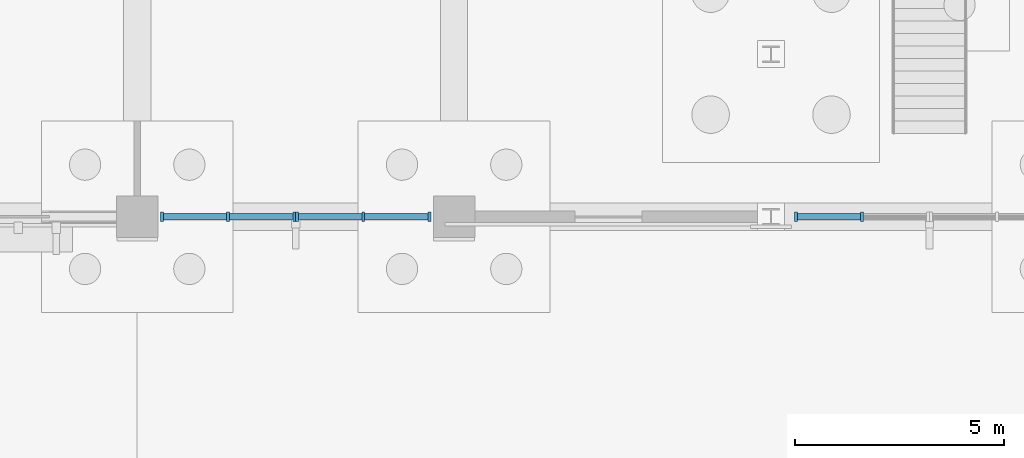
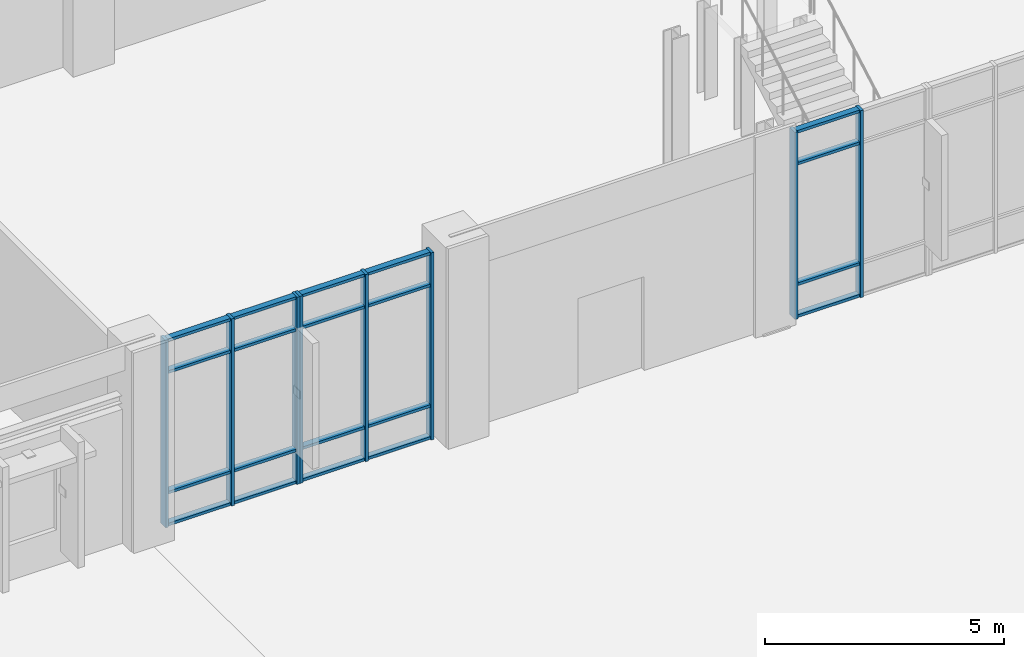
# One storey, part 42 of 94: 28 members, 3 elements without a shape of their own.
"""IFC4 building model written with IfcOpenShell, lengths in metres."""

from ifc_helpers import new_model, si_unit, direction, frame, origin, origin_2d, place, context, subcontext, project, spatial, rectangle, extrude, material, material_profile, profile_set, type_object, element, aggregate, save


model = new_model("IFC4")

# Units and contexts
model_context = context("Model", 3, precision=1e-05, world=origin(), true_north=direction((0.0, 1.0)))
body_context = subcontext(model_context, "Body", "Model", "MODEL_VIEW")
ifc_project = project(units=[si_unit("LENGTHUNIT", "METRE"), si_unit("AREAUNIT", "SQUARE_METRE"), si_unit("VOLUMEUNIT", "CUBIC_METRE"), si_unit("PLANEANGLEUNIT", "RADIAN"), si_unit("MASSUNIT", "GRAM", prefix="KILO")], contexts=[model_context])

# Site, building, storey
site_placement = place(None, origin())
site = spatial("IfcSite", under=ifc_project, at=site_placement, CompositionType="ELEMENT")
building_placement = place(site_placement, origin())
building = spatial("IfcBuilding", under=site, at=building_placement, Name="Vervanel Yard Central Library", CompositionType="ELEMENT")
storey_placement = place(building_placement, origin())
storey = spatial("IfcBuildingStorey", under=building, at=storey_placement, Name="L00", CompositionType="ELEMENT", Elevation=0.0)

# Curtain wall, members
ifc_material = material(Name="Thermally broken anodized aluminium 6063-T6", Category="aluminium")
curtain_wall_type = type_object("IfcCurtainWallType", Name="Reading Hall Full-Height Curtain Wall", PredefinedType="NOTDEFINED", material=ifc_material)
curtain_wall_1_placement = place(storey_placement, origin())
curtain_wall_1 = element("IfcCurtainWall", 1, at=curtain_wall_1_placement, inside=storey, type_object=curtain_wall_type, Name="L00 Reading Hall Full-Height Curtain Wall CWR-L00-056", PredefinedType="NOTDEFINED")
ifc_material_profile_1 = material_profile(ifc_material, rectangle(XDim=0.070068359375, YDim=0.219970703125, at=origin_2d()), Name="ALU 70x220", Category="aluminium")
ifc_profile_set_1 = profile_set([ifc_material_profile_1], Name="Thermally broken anodized aluminium 6063-T6")
member_type_1 = type_object("IfcMemberType", Name="Reading Hall Deep Mullion 70x220", PredefinedType="MULLION", material=ifc_profile_set_1)
member_1_placement = place(storey_placement, frame((108.594970703125, 43.199951171875, 0.0), z_axis=(0.0, 0.0, 1.0), x_axis=(1.0, 0.0, 0.0)))
member_1 = element("IfcMember", 2, at=member_1_placement, type_object=member_type_1, Name="CWR-L00-056 Mullion 1", PredefinedType="MULLION", context=body_context, shape_type="SweptSolid", body=[
    extrude(rectangle(XDim=0.070068359375, YDim=0.219970703125, at=origin_2d()), origin(), (0.0, 0.0, 1.0), 4.780029296875),
])
member_2_placement = place(storey_placement, frame((110.179931640625, 43.199951171875, 0.0), z_axis=(0.0, 0.0, 1.0), x_axis=(1.0, 0.0, 0.0)))
member_2 = element("IfcMember", 3, at=member_2_placement, type_object=member_type_1, Name="CWR-L00-056 Mullion 2", PredefinedType="MULLION", context=body_context, shape_type="SweptSolid", body=[
    extrude(rectangle(XDim=0.070068359375, YDim=0.219970703125, at=origin_2d()), origin(), (0.0, 0.0, 1.0), 4.780029296875),
])
member_3_placement = place(storey_placement, frame((111.764892578125, 43.199951171875, 0.0), z_axis=(0.0, 0.0, 1.0), x_axis=(1.0, 0.0, 0.0)))
member_3 = element("IfcMember", 4, at=member_3_placement, type_object=member_type_1, Name="CWR-L00-056 Mullion 3", PredefinedType="MULLION", context=body_context, shape_type="SweptSolid", body=[
    extrude(rectangle(XDim=0.070068359375, YDim=0.219970703125, at=origin_2d()), origin(), (0.0, 0.0, 1.0), 4.780029296875),
])

curtain_wall_2_placement = place(storey_placement, origin())
curtain_wall_2 = element("IfcCurtainWall", 5, at=curtain_wall_2_placement, inside=storey, type_object=curtain_wall_type, Name="L00 Reading Hall Full-Height Curtain Wall CWR-L00-057", PredefinedType="NOTDEFINED")
member_4_placement = place(storey_placement, frame((111.8349609375, 43.199951171875, 0.0), z_axis=(0.0, 0.0, 1.0), x_axis=(1.0, 0.0, 0.0)))
member_4 = element("IfcMember", 6, at=member_4_placement, type_object=member_type_1, Name="CWR-L00-057 Mullion 1", PredefinedType="MULLION", context=body_context, shape_type="SweptSolid", body=[
    extrude(rectangle(XDim=0.070068359375, YDim=0.219970703125, at=origin_2d()), origin(), (0.0, 0.0, 1.0), 4.780029296875),
])
member_5_placement = place(storey_placement, frame((113.419921875, 43.199951171875, 0.0), z_axis=(0.0, 0.0, 1.0), x_axis=(1.0, 0.0, 0.0)))
member_5 = element("IfcMember", 7, at=member_5_placement, type_object=member_type_1, Name="CWR-L00-057 Mullion 2", PredefinedType="MULLION", context=body_context, shape_type="SweptSolid", body=[
    extrude(rectangle(XDim=0.070068359375, YDim=0.219970703125, at=origin_2d()), origin(), (0.0, 0.0, 1.0), 4.780029296875),
])
member_6_placement = place(storey_placement, frame((115.0048828125, 43.199951171875, 0.0), z_axis=(0.0, 0.0, 1.0), x_axis=(1.0, 0.0, 0.0)))
member_6 = element("IfcMember", 8, at=member_6_placement, type_object=member_type_1, Name="CWR-L00-057 Mullion 3", PredefinedType="MULLION", context=body_context, shape_type="SweptSolid", body=[
    extrude(rectangle(XDim=0.070068359375, YDim=0.219970703125, at=origin_2d()), origin(), (0.0, 0.0, 1.0), 4.780029296875),
])

curtain_wall_3_placement = place(storey_placement, origin())
curtain_wall_3 = element("IfcCurtainWall", 9, at=curtain_wall_3_placement, inside=storey, type_object=curtain_wall_type, Name="L00 Reading Hall Full-Height Curtain Wall CWR-L00-058", PredefinedType="NOTDEFINED")
member_7_placement = place(storey_placement, frame((123.794921875, 43.199951171875, 0.0), z_axis=(0.0, 0.0, 1.0), x_axis=(1.0, 0.0, 0.0)))
member_7 = element("IfcMember", 10, at=member_7_placement, type_object=member_type_1, Name="CWR-L00-058 Mullion 1", PredefinedType="MULLION", context=body_context, shape_type="SweptSolid", body=[
    extrude(rectangle(XDim=0.070068359375, YDim=0.219970703125, at=origin_2d()), origin(), (0.0, 0.0, 1.0), 4.780029296875),
])
member_8_placement = place(storey_placement, frame((125.3798828125, 43.199951171875, 0.0), z_axis=(0.0, 0.0, 1.0), x_axis=(1.0, 0.0, 0.0)))
member_8 = element("IfcMember", 11, at=member_8_placement, type_object=member_type_1, Name="CWR-L00-058 Mullion 2", PredefinedType="MULLION", context=body_context, shape_type="SweptSolid", body=[
    extrude(rectangle(XDim=0.070068359375, YDim=0.219970703125, at=origin_2d()), origin(), (0.0, 0.0, 1.0), 4.780029296875),
])

# Member
ifc_material_profile_2 = material_profile(ifc_material, rectangle(XDim=0.070068359375, YDim=0.14990234375, at=origin_2d()), Name="ALU 70x150", Category="aluminium")
ifc_profile_set_2 = profile_set([ifc_material_profile_2], Name="Thermally broken anodized aluminium 6063-T6")
member_type_2 = type_object("IfcMemberType", Name="Reading Hall Deep Transom 70x150", PredefinedType="NOTDEFINED", material=ifc_profile_set_2)
member_9_placement = place(storey_placement, frame((108.6298828125, 43.199951171875, 0.034912109375), z_axis=(1.0, 0.0, 0.0), x_axis=(0.0, 0.0, 1.0)))
member_9 = element("IfcMember", 12, at=member_9_placement, type_object=member_type_2, Name="CWR-L00-056 Transom B1-T1", ObjectType="TRANSOM", PredefinedType="USERDEFINED", context=body_context, shape_type="SweptSolid", body=[
    extrude(rectangle(XDim=0.070068359375, YDim=0.14990234375, at=origin_2d()), origin(), (0.0, 0.0, 1.0), 1.51513671875),
])

member_10_placement = place(storey_placement, frame((108.6298828125, 43.199951171875, 0.85009765625), z_axis=(1.0, 0.0, 0.0), x_axis=(0.0, 0.0, 1.0)))
member_10 = element("IfcMember", 13, at=member_10_placement, type_object=member_type_2, Name="CWR-L00-056 Transom B1-T2", ObjectType="TRANSOM", PredefinedType="USERDEFINED", context=body_context, shape_type="SweptSolid", body=[
    extrude(rectangle(XDim=0.070068359375, YDim=0.14990234375, at=origin_2d()), origin(), (0.0, 0.0, 1.0), 1.51513671875),
])

member_11_placement = place(storey_placement, frame((108.6298828125, 43.199951171875, 3.929931640625), z_axis=(1.0, 0.0, 0.0), x_axis=(0.0, 0.0, 1.0)))
member_11 = element("IfcMember", 14, at=member_11_placement, type_object=member_type_2, Name="CWR-L00-056 Transom B1-T3", ObjectType="TRANSOM", PredefinedType="USERDEFINED", context=body_context, shape_type="SweptSolid", body=[
    extrude(rectangle(XDim=0.070068359375, YDim=0.14990234375, at=origin_2d()), origin(), (0.0, 0.0, 1.0), 1.51513671875),
])

member_12_placement = place(storey_placement, frame((108.6298828125, 43.199951171875, 4.7451171875), z_axis=(1.0, 0.0, 0.0), x_axis=(0.0, 0.0, 1.0)))
member_12 = element("IfcMember", 15, at=member_12_placement, type_object=member_type_2, Name="CWR-L00-056 Transom B1-T4", ObjectType="TRANSOM", PredefinedType="USERDEFINED", context=body_context, shape_type="SweptSolid", body=[
    extrude(rectangle(XDim=0.070068359375, YDim=0.14990234375, at=origin_2d()), origin(), (0.0, 0.0, 1.0), 1.51513671875),
])

member_13_placement = place(storey_placement, frame((110.215087890625, 43.199951171875, 0.034912109375), z_axis=(1.0, 0.0, 0.0), x_axis=(0.0, 0.0, 1.0)))
member_13 = element("IfcMember", 16, at=member_13_placement, type_object=member_type_2, Name="CWR-L00-056 Transom B2-T1", ObjectType="TRANSOM", PredefinedType="USERDEFINED", context=body_context, shape_type="SweptSolid", body=[
    extrude(rectangle(XDim=0.070068359375, YDim=0.14990234375, at=origin_2d()), origin(), (0.0, 0.0, 1.0), 1.514892578125),
])

member_14_placement = place(storey_placement, frame((110.215087890625, 43.199951171875, 0.85009765625), z_axis=(1.0, 0.0, 0.0), x_axis=(0.0, 0.0, 1.0)))
member_14 = element("IfcMember", 17, at=member_14_placement, type_object=member_type_2, Name="CWR-L00-056 Transom B2-T2", ObjectType="TRANSOM", PredefinedType="USERDEFINED", context=body_context, shape_type="SweptSolid", body=[
    extrude(rectangle(XDim=0.070068359375, YDim=0.14990234375, at=origin_2d()), origin(), (0.0, 0.0, 1.0), 1.514892578125),
])

member_15_placement = place(storey_placement, frame((110.215087890625, 43.199951171875, 3.929931640625), z_axis=(1.0, 0.0, 0.0), x_axis=(0.0, 0.0, 1.0)))
member_15 = element("IfcMember", 18, at=member_15_placement, type_object=member_type_2, Name="CWR-L00-056 Transom B2-T3", ObjectType="TRANSOM", PredefinedType="USERDEFINED", context=body_context, shape_type="SweptSolid", body=[
    extrude(rectangle(XDim=0.070068359375, YDim=0.14990234375, at=origin_2d()), origin(), (0.0, 0.0, 1.0), 1.514892578125),
])

member_16_placement = place(storey_placement, frame((110.215087890625, 43.199951171875, 4.7451171875), z_axis=(1.0, 0.0, 0.0), x_axis=(0.0, 0.0, 1.0)))
member_16 = element("IfcMember", 19, at=member_16_placement, type_object=member_type_2, Name="CWR-L00-056 Transom B2-T4", ObjectType="TRANSOM", PredefinedType="USERDEFINED", context=body_context, shape_type="SweptSolid", body=[
    extrude(rectangle(XDim=0.070068359375, YDim=0.14990234375, at=origin_2d()), origin(), (0.0, 0.0, 1.0), 1.514892578125),
])

aggregate(curtain_wall_1, [member_1, member_2, member_3, member_9, member_10, member_11, member_12, member_13, member_14, member_15, member_16])

member_17_placement = place(storey_placement, frame((111.8701171875, 43.199951171875, 0.034912109375), z_axis=(1.0, 0.0, 0.0), x_axis=(0.0, 0.0, 1.0)))
member_17 = element("IfcMember", 20, at=member_17_placement, type_object=member_type_2, Name="CWR-L00-057 Transom B1-T1", ObjectType="TRANSOM", PredefinedType="USERDEFINED", context=body_context, shape_type="SweptSolid", body=[
    extrude(rectangle(XDim=0.070068359375, YDim=0.14990234375, at=origin_2d()), origin(), (0.0, 0.0, 1.0), 1.514892578125),
])

member_18_placement = place(storey_placement, frame((111.8701171875, 43.199951171875, 0.85009765625), z_axis=(1.0, 0.0, 0.0), x_axis=(0.0, 0.0, 1.0)))
member_18 = element("IfcMember", 21, at=member_18_placement, type_object=member_type_2, Name="CWR-L00-057 Transom B1-T2", ObjectType="TRANSOM", PredefinedType="USERDEFINED", context=body_context, shape_type="SweptSolid", body=[
    extrude(rectangle(XDim=0.070068359375, YDim=0.14990234375, at=origin_2d()), origin(), (0.0, 0.0, 1.0), 1.514892578125),
])

member_19_placement = place(storey_placement, frame((111.8701171875, 43.199951171875, 3.929931640625), z_axis=(1.0, 0.0, 0.0), x_axis=(0.0, 0.0, 1.0)))
member_19 = element("IfcMember", 22, at=member_19_placement, type_object=member_type_2, Name="CWR-L00-057 Transom B1-T3", ObjectType="TRANSOM", PredefinedType="USERDEFINED", context=body_context, shape_type="SweptSolid", body=[
    extrude(rectangle(XDim=0.070068359375, YDim=0.14990234375, at=origin_2d()), origin(), (0.0, 0.0, 1.0), 1.514892578125),
])

member_20_placement = place(storey_placement, frame((111.8701171875, 43.199951171875, 4.7451171875), z_axis=(1.0, 0.0, 0.0), x_axis=(0.0, 0.0, 1.0)))
member_20 = element("IfcMember", 23, at=member_20_placement, type_object=member_type_2, Name="CWR-L00-057 Transom B1-T4", ObjectType="TRANSOM", PredefinedType="USERDEFINED", context=body_context, shape_type="SweptSolid", body=[
    extrude(rectangle(XDim=0.070068359375, YDim=0.14990234375, at=origin_2d()), origin(), (0.0, 0.0, 1.0), 1.514892578125),
])

member_21_placement = place(storey_placement, frame((113.455078125, 43.199951171875, 0.034912109375), z_axis=(1.0, 0.0, 0.0), x_axis=(0.0, 0.0, 1.0)))
member_21 = element("IfcMember", 24, at=member_21_placement, type_object=member_type_2, Name="CWR-L00-057 Transom B2-T1", ObjectType="TRANSOM", PredefinedType="USERDEFINED", context=body_context, shape_type="SweptSolid", body=[
    extrude(rectangle(XDim=0.070068359375, YDim=0.14990234375, at=origin_2d()), origin(), (0.0, 0.0, 1.0), 1.514892578125),
])

member_22_placement = place(storey_placement, frame((113.455078125, 43.199951171875, 0.85009765625), z_axis=(1.0, 0.0, 0.0), x_axis=(0.0, 0.0, 1.0)))
member_22 = element("IfcMember", 25, at=member_22_placement, type_object=member_type_2, Name="CWR-L00-057 Transom B2-T2", ObjectType="TRANSOM", PredefinedType="USERDEFINED", context=body_context, shape_type="SweptSolid", body=[
    extrude(rectangle(XDim=0.070068359375, YDim=0.14990234375, at=origin_2d()), origin(), (0.0, 0.0, 1.0), 1.514892578125),
])

member_23_placement = place(storey_placement, frame((113.455078125, 43.199951171875, 3.929931640625), z_axis=(1.0, 0.0, 0.0), x_axis=(0.0, 0.0, 1.0)))
member_23 = element("IfcMember", 26, at=member_23_placement, type_object=member_type_2, Name="CWR-L00-057 Transom B2-T3", ObjectType="TRANSOM", PredefinedType="USERDEFINED", context=body_context, shape_type="SweptSolid", body=[
    extrude(rectangle(XDim=0.070068359375, YDim=0.14990234375, at=origin_2d()), origin(), (0.0, 0.0, 1.0), 1.514892578125),
])

member_24_placement = place(storey_placement, frame((113.455078125, 43.199951171875, 4.7451171875), z_axis=(1.0, 0.0, 0.0), x_axis=(0.0, 0.0, 1.0)))
member_24 = element("IfcMember", 27, at=member_24_placement, type_object=member_type_2, Name="CWR-L00-057 Transom B2-T4", ObjectType="TRANSOM", PredefinedType="USERDEFINED", context=body_context, shape_type="SweptSolid", body=[
    extrude(rectangle(XDim=0.070068359375, YDim=0.14990234375, at=origin_2d()), origin(), (0.0, 0.0, 1.0), 1.514892578125),
])

aggregate(curtain_wall_2, [member_4, member_5, member_6, member_17, member_18, member_19, member_20, member_21, member_22, member_23, member_24])

member_25_placement = place(storey_placement, frame((123.830078125, 43.199951171875, 0.034912109375), z_axis=(1.0, 0.0, 0.0), x_axis=(0.0, 0.0, 1.0)))
member_25 = element("IfcMember", 28, at=member_25_placement, type_object=member_type_2, Name="CWR-L00-058 Transom B1-T1", ObjectType="TRANSOM", PredefinedType="USERDEFINED", context=body_context, shape_type="SweptSolid", body=[
    extrude(rectangle(XDim=0.070068359375, YDim=0.14990234375, at=origin_2d()), origin(), (0.0, 0.0, 1.0), 1.514892578125),
])

member_26_placement = place(storey_placement, frame((123.830078125, 43.199951171875, 0.85009765625), z_axis=(1.0, 0.0, 0.0), x_axis=(0.0, 0.0, 1.0)))
member_26 = element("IfcMember", 29, at=member_26_placement, type_object=member_type_2, Name="CWR-L00-058 Transom B1-T2", ObjectType="TRANSOM", PredefinedType="USERDEFINED", context=body_context, shape_type="SweptSolid", body=[
    extrude(rectangle(XDim=0.070068359375, YDim=0.14990234375, at=origin_2d()), origin(), (0.0, 0.0, 1.0), 1.514892578125),
])

member_27_placement = place(storey_placement, frame((123.830078125, 43.199951171875, 3.929931640625), z_axis=(1.0, 0.0, 0.0), x_axis=(0.0, 0.0, 1.0)))
member_27 = element("IfcMember", 30, at=member_27_placement, type_object=member_type_2, Name="CWR-L00-058 Transom B1-T3", ObjectType="TRANSOM", PredefinedType="USERDEFINED", context=body_context, shape_type="SweptSolid", body=[
    extrude(rectangle(XDim=0.070068359375, YDim=0.14990234375, at=origin_2d()), origin(), (0.0, 0.0, 1.0), 1.514892578125),
])

member_28_placement = place(storey_placement, frame((123.830078125, 43.199951171875, 4.7451171875), z_axis=(1.0, 0.0, 0.0), x_axis=(0.0, 0.0, 1.0)))
member_28 = element("IfcMember", 31, at=member_28_placement, type_object=member_type_2, Name="CWR-L00-058 Transom B1-T4", ObjectType="TRANSOM", PredefinedType="USERDEFINED", context=body_context, shape_type="SweptSolid", body=[
    extrude(rectangle(XDim=0.070068359375, YDim=0.14990234375, at=origin_2d()), origin(), (0.0, 0.0, 1.0), 1.514892578125),
])

aggregate(curtain_wall_3, [member_7, member_8, member_25, member_26, member_27, member_28])

save(model, "model.ifc")
